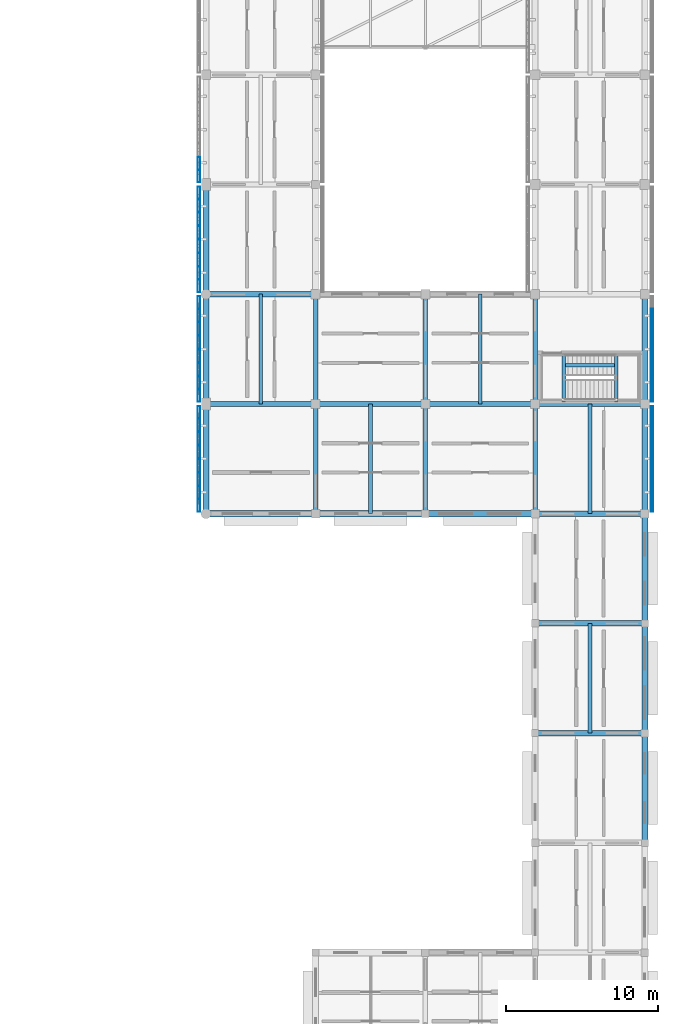
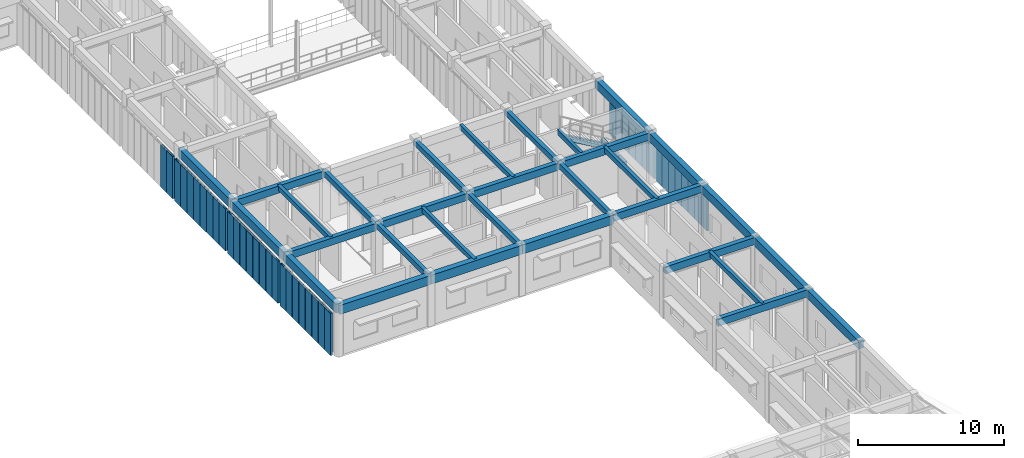
# One storey, part 64 of 171: 41 members, 33 beams, 6 elements without a shape of their own.
"""IFC4 building model written with IfcOpenShell, lengths in metres."""

import ifcopenshell
import ifcopenshell.guid

model = None  # the IFC model being written
_history = None  # IfcOwnerHistory: only IFC2X3 demands one
_inside = {}  # id of a spatial element -> (the spatial element, [elements in it])
_under = {}  # id of a project, library or spatial element -> (it, [spatial elements below it])
_declared = {}  # id of a project -> (the project, [libraries it declares])
_typed = {}  # id of a type object -> (the type object, [elements of that type])
_made_of = {}  # id of a material, layer set ... -> (it, [elements and type objects made of it])


def new_model(schema):
    """Start an empty IFC model of exactly this schema.

    Asked for "IFC4X3", IfcOpenShell would pick the latest addendum, in which some entities
    have other attributes; the version numbers below select the first issue.
    IFC2X3 requires an IfcOwnerHistory on every rooted entity: one is made here for all.
    """
    global model, _history
    if schema == "IFC4X3":
        model = ifcopenshell.file(schema_version=(4, 3, 0, 0))
    else:
        model = ifcopenshell.file(schema=schema)
    _inside.clear()
    _under.clear()
    _declared.clear()
    _typed.clear()
    _made_of.clear()
    _history = None
    if model.schema == "IFC2X3":
        org = make("IfcOrganization", Name="unknown")
        user = make(
            "IfcPersonAndOrganization",
            ThePerson=make("IfcPerson", FamilyName="unknown"),
            TheOrganization=org,
        )
        app = make(
            "IfcApplication",
            ApplicationDeveloper=org,
            Version="unknown",
            ApplicationFullName="unknown",
            ApplicationIdentifier="unknown",
        )
        _history = make(
            "IfcOwnerHistory",
            OwningUser=user,
            OwningApplication=app,
            ChangeAction="ADDED",
            CreationDate=0,
        )
    return model


def make(cls, **values):
    """One entity of the class cls with the attributes given. An attribute that is None is left unset."""
    return model.create_entity(
        cls, **{name: value for name, value in values.items() if value is not None}
    )


def rooted(cls, **values):
    """An entity with a GlobalId (a new one), such as an element, a storey or a relation."""
    return make(cls, GlobalId=ifcopenshell.guid.new(), OwnerHistory=_history, **values)


def si_unit(unit_type, name, prefix=None):
    """IfcSIUnit, for example si_unit("LENGTHUNIT", "METRE", prefix="MILLI")."""
    return make("IfcSIUnit", UnitType=unit_type, Prefix=prefix, Name=name)


def assignment(units):
    """IfcUnitAssignment: the units of a project."""
    return None if units is None else make("IfcUnitAssignment", Units=units)


def point(xyz):
    """IfcCartesianPoint."""
    return None if xyz is None else make("IfcCartesianPoint", Coordinates=xyz)


def direction(xyz):
    """IfcDirection."""
    return None if xyz is None else make("IfcDirection", DirectionRatios=xyz)


def frame(location, z_axis=None, x_axis=None):
    """IfcAxis2Placement3D, a coordinate frame: its origin and axes. An axis left out is left unset."""
    return make(
        "IfcAxis2Placement3D",
        Location=point(location),
        Axis=direction(z_axis),
        RefDirection=direction(x_axis),
    )


def frame_2d(location, x_axis=None):
    """IfcAxis2Placement2D, a coordinate frame in the plane: its origin and x axis."""
    return make(
        "IfcAxis2Placement2D", Location=point(location), RefDirection=direction(x_axis)
    )


def origin():
    """The frame at (0, 0, 0) with its axes left unset."""
    return frame((0.0, 0.0, 0.0))


def origin_2d():
    """The frame at (0, 0) in the plane with its x axis left unset."""
    return frame_2d((0.0, 0.0))


def place(relative_to, where):
    """IfcLocalPlacement: puts the frame where relative to a parent placement (None: the world)."""
    return make(
        "IfcLocalPlacement", PlacementRelTo=relative_to, RelativePlacement=where
    )


def context(
    kind, dimensions, precision=None, world=None, true_north=None, identifier=None
):
    """IfcGeometricRepresentationContext, for example the 3D "Model" context."""
    return make(
        "IfcGeometricRepresentationContext",
        ContextIdentifier=identifier,
        ContextType=kind,
        CoordinateSpaceDimension=dimensions,
        Precision=precision,
        WorldCoordinateSystem=world,
        TrueNorth=true_north,
    )


def subcontext(parent, identifier, kind, view, scale=None):
    """IfcGeometricRepresentationSubContext, for example "Body" below "Model"."""
    return make(
        "IfcGeometricRepresentationSubContext",
        ContextIdentifier=identifier,
        ContextType=kind,
        ParentContext=parent,
        TargetScale=scale,
        TargetView=view,
    )


def project(units=None, contexts=None):
    """IfcProject with its units and contexts."""
    return rooted(
        "IfcProject",
        Name="project",
        RepresentationContexts=contexts,
        UnitsInContext=assignment(units),
    )


def spatial(cls, under=None, at=None, **own):
    """A site, building, storey or space (cls), placed at a placement, below another one or the project."""
    s = rooted(cls, ObjectPlacement=at, **own)
    if under is not None:
        _under.setdefault(under.id(), (under, []))[1].append(s)
    return s


def profile(cls, at=None, kind="AREA", **sizes):
    """A parametric profile (cls). Its sizes go by their IFC names, for example OverallWidth=200.0."""
    return make(cls, ProfileType=kind, Position=at, **sizes)


def rectangle(**sizes):
    """IfcRectangleProfileDef."""
    return profile("IfcRectangleProfileDef", **sizes)


def hollow_rectangle(**sizes):
    """IfcRectangleHollowProfileDef."""
    return profile("IfcRectangleHollowProfileDef", **sizes)


def extrude(swept, where, along, depth):
    """IfcExtrudedAreaSolid: the profile swept, set in the frame where, extruded along a direction by depth."""
    return make(
        "IfcExtrudedAreaSolid",
        SweptArea=swept,
        Position=where,
        ExtrudedDirection=direction(along),
        Depth=depth,
    )


def shape(context_of_items, identifier, shape_type, items):
    """IfcShapeRepresentation: the items that make up one representation, for example the "Body"."""
    return make(
        "IfcShapeRepresentation",
        ContextOfItems=context_of_items,
        RepresentationIdentifier=identifier,
        RepresentationType=shape_type,
        Items=items,
    )


def material(Name=None, Category=None):
    """IfcMaterial."""
    return make("IfcMaterial", Name=Name, Category=Category)


def material_profile(
    of_material, cross_section, Name=None, Category=None, Priority=None
):
    """IfcMaterialProfile: a cross section and its material."""
    return make(
        "IfcMaterialProfile",
        Name=Name,
        Material=of_material,
        Profile=cross_section,
        Priority=Priority,
        Category=Category,
    )


def profile_set(profiles, Name=None, composite=None):
    """IfcMaterialProfileSet."""
    return make(
        "IfcMaterialProfileSet",
        Name=Name,
        MaterialProfiles=profiles,
        CompositeProfile=composite,
    )


def made_of(thing, what):
    """Note that an element or type object is made of a material, layer set ...; save() writes the relation."""
    if what is not None:
        _made_of.setdefault(what.id(), (what, []))[1].append(thing)
    return thing


def type_object(cls, material=None, **own):
    """A type object (cls), such as IfcWallType, which elements share."""
    return made_of(rooted(cls, **own), material)


def element(
    cls,
    number,
    at=None,
    inside=None,
    cuts=None,
    type_object=None,
    material=None,
    context=None,
    identifier="Body",
    shape_type=None,
    held_by="IfcProductDefinitionShape",
    body=None,
    shapes=None,
    **own,
):
    """One element of the class cls, such as IfcWall. Its Tag is "e" and its number.

    at: its placement. inside: the storey or other place that contains it. cuts: it is an
    opening in that element (IfcRelVoidsElement). A single representation is given by context,
    identifier, shape_type and body (its items); several are given by shapes. held_by: the class
    of the entity that holds the representations. save() writes the other relations.
    """
    e = rooted(cls, Tag="e%d" % number, ObjectPlacement=at, **own)
    if body is not None:
        shapes = [shape(context, identifier, shape_type, body)]
    if shapes is not None:
        e.Representation = make(held_by, Representations=shapes)
    if inside is not None:
        _inside.setdefault(inside.id(), (inside, []))[1].append(e)
    if cuts is not None:
        rooted(
            "IfcRelVoidsElement", RelatingBuildingElement=cuts, RelatedOpeningElement=e
        )
    if type_object is not None:
        _typed.setdefault(type_object.id(), (type_object, []))[1].append(e)
    return made_of(e, material)


def aggregate(whole, parts):
    """IfcRelAggregates: a whole, such as a stair, and the parts it consists of."""
    return rooted("IfcRelAggregates", RelatingObject=whole, RelatedObjects=parts)


def save(model, path):
    """Write the relations noted so far, then the file.

    IfcRelAggregates (storeys below a building ...), IfcRelContainedInSpatialStructure (elements
    in a storey), IfcRelDefinesByType, IfcRelAssociatesMaterial and IfcRelDeclares: one each for
    every whole, place, type object, material and project.
    """
    for whole, parts in _under.values():
        aggregate(whole, parts)
    for where, things in _inside.values():
        rooted(
            "IfcRelContainedInSpatialStructure",
            RelatedElements=things,
            RelatingStructure=where,
        )
    for kind, things in _typed.values():
        rooted("IfcRelDefinesByType", RelatedObjects=things, RelatingType=kind)
    for what, things in _made_of.values():
        rooted("IfcRelAssociatesMaterial", RelatedObjects=things, RelatingMaterial=what)
    for by, libraries in _declared.values():
        rooted("IfcRelDeclares", RelatingContext=by, RelatedDefinitions=libraries)
    model.write(path)


model = new_model("IFC4")

# Units and contexts
model_context = context("Model", 3, precision=1e-05, world=origin(), true_north=direction((0.0, 1.0)))
body_context = subcontext(model_context, "Body", "Model", "MODEL_VIEW")
ifc_project = project(units=[si_unit("LENGTHUNIT", "METRE"), si_unit("AREAUNIT", "SQUARE_METRE"), si_unit("VOLUMEUNIT", "CUBIC_METRE"), si_unit("PLANEANGLEUNIT", "RADIAN"), si_unit("MASSUNIT", "GRAM", prefix="KILO")], contexts=[model_context])

# Site, building, storey
site_placement = place(None, origin())
site = spatial("IfcSite", under=ifc_project, at=site_placement, CompositionType="ELEMENT")
building_placement = place(site_placement, origin())
building = spatial("IfcBuilding", under=site, at=building_placement, Name="Aldebral Square Health Centre", CompositionType="ELEMENT")
storey_placement = place(building_placement, frame((0.0, 0.0, 4.5)))
storey = spatial("IfcBuildingStorey", under=building, at=storey_placement, Name="L01", CompositionType="ELEMENT", Elevation=4.5)

# Beams
ifc_material_1 = material(Name="Concrete C40/50", Category="concrete")
ifc_material_profile_1 = material_profile(ifc_material_1, rectangle(XDim=0.35009765625, YDim=0.60009765625, at=origin_2d()), Name="RC 350x600")
ifc_profile_set_1 = profile_set([ifc_material_profile_1], Name="Concrete C40/50")
beam_type_1 = type_object("IfcBeamType", Name="BM-B2", PredefinedType="BEAM", material=ifc_profile_set_1)
for number, where, z_axis, x_axis, name in (
    (1, (136.800048828125, 57.60009765625, 3.919921875), (1.0, 0.0, 0.0), (0.0, 1.0, 0.0), "L01 X-beam 20-21/G9"),
    (2, (136.800048828125, 64.800048828125, 3.919921875), (1.0, 0.0, 0.0), (0.0, 1.0, 0.0), "L01 X-beam 20-21/G10"),
    (3, (144.0, 57.60009765625, 3.919921875), (1.0, 0.0, 0.0), (0.0, 1.0, 0.0), "L01 X-beam 21-22/G9"),
    (4, (151.199951171875, 57.60009765625, 3.919921875), (1.0, 0.0, 0.0), (0.0, 1.0, 0.0), "L01 X-beam 22-23/G9"),
):
    element("IfcBeam", number, at=place(storey_placement, frame(where, z_axis=z_axis, x_axis=x_axis)), inside=storey, type_object=beam_type_1, Name=name, PredefinedType="BEAM", context=body_context, shape_type="SweptSolid", body=[
        extrude(rectangle(XDim=0.35009765625, YDim=0.60009765625, at=origin_2d()), origin(), (0.0, 0.0, 1.0), 7.199951171875),
    ])
for number, where, z_axis, x_axis, name in (
    (5, (158.39990234375, 36.0, 3.919921875), (1.0, 0.0, 0.0), (0.0, 1.0, 0.0), "L01 X-beam 23-24/G6"),
    (6, (158.39990234375, 43.199951171875, 3.919921875), (1.0, 0.0, 0.0), (0.0, 1.0, 0.0), "L01 X-beam 23-24/G7"),
    (7, (158.39990234375, 50.39990234375, 3.919921875), (1.0, 0.0, 0.0), (0.0, 1.0, 0.0), "L01 X-beam 23-24/G8"),
    (8, (158.39990234375, 57.60009765625, 3.919921875), (1.0, 0.0, 0.0), (0.0, 1.0, 0.0), "L01 X-beam 23-24/G9"),
):
    element("IfcBeam", number, at=place(storey_placement, frame(where, z_axis=z_axis, x_axis=x_axis)), inside=storey, type_object=beam_type_1, Name=name, PredefinedType="BEAM", context=body_context, shape_type="SweptSolid", body=[
        extrude(rectangle(XDim=0.35009765625, YDim=0.60009765625, at=origin_2d()), origin(), (0.0, 0.0, 1.0), 7.2001953125),
    ])
ifc_material_profile_2 = material_profile(ifc_material_1, rectangle(XDim=0.300048828125, YDim=0.449951171875, at=origin_2d()), Name="RC 300x450")
ifc_profile_set_2 = profile_set([ifc_material_profile_2], Name="Concrete C40/50")
beam_type_2 = type_object("IfcBeamType", Name="BM-B5", PredefinedType="BEAM", material=ifc_profile_set_2)
beam_1_placement = place(storey_placement, frame((144.0, 50.39990234375, 3.9951171875), z_axis=(0.0, 1.0, 0.0), x_axis=(-1.0, 0.0, 0.0)))
element("IfcBeam", 9, at=beam_1_placement, inside=storey, type_object=beam_type_2, Name="L01 Y-beam G21/8-9", PredefinedType="BEAM", context=body_context, shape_type="SweptSolid", body=[
    extrude(rectangle(XDim=0.300048828125, YDim=0.449951171875, at=origin_2d()), origin(), (0.0, 0.0, 1.0), 7.2001953125),
])
beam_2_placement = place(storey_placement, frame((144.0, 57.60009765625, 3.9951171875), z_axis=(0.0, 1.0, 0.0), x_axis=(-1.0, 0.0, 0.0)))
element("IfcBeam", 10, at=beam_2_placement, inside=storey, type_object=beam_type_2, Name="L01 Y-beam G21/9-10", PredefinedType="BEAM", context=body_context, shape_type="SweptSolid", body=[
    extrude(rectangle(XDim=0.300048828125, YDim=0.449951171875, at=origin_2d()), origin(), (0.0, 0.0, 1.0), 7.199951171875),
])
beam_3_placement = place(storey_placement, frame((151.199951171875, 50.39990234375, 3.9951171875), z_axis=(0.0, 1.0, 0.0), x_axis=(-1.0, 0.0, 0.0)))
element("IfcBeam", 11, at=beam_3_placement, inside=storey, type_object=beam_type_2, Name="L01 Y-beam G22/8-9", PredefinedType="BEAM", context=body_context, shape_type="SweptSolid", body=[
    extrude(rectangle(XDim=0.300048828125, YDim=0.449951171875, at=origin_2d()), origin(), (0.0, 0.0, 1.0), 7.2001953125),
])
beam_4_placement = place(storey_placement, frame((151.199951171875, 57.60009765625, 3.9951171875), z_axis=(0.0, 1.0, 0.0), x_axis=(-1.0, 0.0, 0.0)))
element("IfcBeam", 12, at=beam_4_placement, inside=storey, type_object=beam_type_2, Name="L01 Y-beam G22/9-10", PredefinedType="BEAM", context=body_context, shape_type="SweptSolid", body=[
    extrude(rectangle(XDim=0.300048828125, YDim=0.449951171875, at=origin_2d()), origin(), (0.0, 0.0, 1.0), 7.199951171875),
])
beam_5_placement = place(storey_placement, frame((158.39990234375, 50.39990234375, 3.9951171875), z_axis=(0.0, 1.0, 0.0), x_axis=(-1.0, 0.0, 0.0)))
element("IfcBeam", 13, at=beam_5_placement, inside=storey, type_object=beam_type_2, Name="L01 Y-beam G23/8-9", PredefinedType="BEAM", context=body_context, shape_type="SweptSolid", body=[
    extrude(rectangle(XDim=0.300048828125, YDim=0.449951171875, at=origin_2d()), origin(), (0.0, 0.0, 1.0), 7.2001953125),
])
beam_6_placement = place(storey_placement, frame((158.39990234375, 57.60009765625, 3.9951171875), z_axis=(0.0, 1.0, 0.0), x_axis=(-1.0, 0.0, 0.0)))
element("IfcBeam", 14, at=beam_6_placement, inside=storey, type_object=beam_type_2, Name="L01 Y-beam G23/9-10", PredefinedType="BEAM", context=body_context, shape_type="SweptSolid", body=[
    extrude(rectangle(XDim=0.300048828125, YDim=0.449951171875, at=origin_2d()), origin(), (0.0, 0.0, 1.0), 7.199951171875),
])
ifc_material_profile_3 = material_profile(ifc_material_1, rectangle(XDim=0.25, YDim=0.39990234375, at=origin_2d()), Name="RC 250x400")
ifc_profile_set_3 = profile_set([ifc_material_profile_3], Name="Concrete C40/50")
beam_type_3 = type_object("IfcBeamType", Name="BM-B6", PredefinedType="JOIST", material=ifc_profile_set_3)
beam_7_placement = place(storey_placement, frame((140.39990234375, 57.60009765625, 4.02001953125), z_axis=(0.0, 1.0, 0.0), x_axis=(-1.0, 0.0, 0.0)))
element("IfcBeam", 15, at=beam_7_placement, inside=storey, type_object=beam_type_3, Name="L01 secondary rib 20.9", PredefinedType="JOIST", context=body_context, shape_type="SweptSolid", body=[
    extrude(rectangle(XDim=0.25, YDim=0.39990234375, at=origin_2d()), origin(), (0.0, 0.0, 1.0), 7.199951171875),
])
beam_8_placement = place(storey_placement, frame((147.60009765625, 50.39990234375, 4.02001953125), z_axis=(0.0, 1.0, 0.0), x_axis=(-1.0, 0.0, 0.0)))
element("IfcBeam", 16, at=beam_8_placement, inside=storey, type_object=beam_type_3, Name="L01 secondary rib 21.8", PredefinedType="JOIST", context=body_context, shape_type="SweptSolid", body=[
    extrude(rectangle(XDim=0.25, YDim=0.39990234375, at=origin_2d()), origin(), (0.0, 0.0, 1.0), 7.2001953125),
])
for number, where, z_axis, x_axis, name in (
    (17, (154.800048828125, 57.60009765625, 4.02001953125), (0.0, 1.0, 0.0), (-1.0, 0.0, 0.0), "L01 secondary rib 22.9"),
    (18, (162.0, 36.0, 4.02001953125), (0.0, 1.0, 0.0), (-1.0, 0.0, 0.0), "L01 secondary rib 23.6"),
):
    element("IfcBeam", number, at=place(storey_placement, frame(where, z_axis=z_axis, x_axis=x_axis)), inside=storey, type_object=beam_type_3, Name=name, PredefinedType="JOIST", context=body_context, shape_type="SweptSolid", body=[
        extrude(rectangle(XDim=0.25, YDim=0.39990234375, at=origin_2d()), origin(), (0.0, 0.0, 1.0), 7.199951171875),
    ])
beam_9_placement = place(storey_placement, frame((162.0, 50.39990234375, 4.02001953125), z_axis=(0.0, 1.0, 0.0), x_axis=(-1.0, 0.0, 0.0)))
element("IfcBeam", 19, at=beam_9_placement, inside=storey, type_object=beam_type_3, Name="L01 secondary rib 23.8", PredefinedType="JOIST", context=body_context, shape_type="SweptSolid", body=[
    extrude(rectangle(XDim=0.25, YDim=0.39990234375, at=origin_2d()), origin(), (0.0, 0.0, 1.0), 7.2001953125),
])
for number, where, z_axis, x_axis, name in (
    (20, (163.719970703125, 57.72998046875, 2.050048828125), (0.0, 1.0, 0.0), (-1.0, 0.0, 0.0), "L01 WS-S9 half-landing beam"),
    (21, (160.280029296875, 57.72998046875, 4.02001953125), (0.0, 1.0, 0.0), (-1.0, 0.0, 0.0), "L01 WS-S9 upper landing beam"),
):
    element("IfcBeam", number, at=place(storey_placement, frame(where, z_axis=z_axis, x_axis=x_axis)), inside=storey, type_object=beam_type_3, Name=name, PredefinedType="JOIST", context=body_context, shape_type="SweptSolid", body=[
        extrude(rectangle(XDim=0.25, YDim=0.39990234375, at=origin_2d()), origin(), (0.0, 0.0, 1.0), 3.219970703125),
    ])
beam_10_placement = place(storey_placement, frame((163.719970703125, 60.139892578125, 2.050048828125), z_axis=(-0.867776584178, 0.0, 0.496954525034), x_axis=(0.0, -1.0, 0.0)))
element("IfcBeam", 22, at=beam_10_placement, inside=storey, type_object=beam_type_3, Name="L01 WS-S9 flight stringer beam", PredefinedType="JOIST", context=body_context, shape_type="SweptSolid", body=[
    extrude(rectangle(XDim=0.25, YDim=0.39990234375, at=origin_2d()), origin(), (0.0, 0.0, 1.0), 3.964111328125),
])
ifc_material_profile_4 = material_profile(ifc_material_1, rectangle(XDim=0.449951171875, YDim=0.75, at=origin_2d()), Name="RC 450x750")
ifc_profile_set_4 = profile_set([ifc_material_profile_4], Name="Concrete C40/50")
beam_type_4 = type_object("IfcBeamType", Name="BM-G2", PredefinedType="T_BEAM", material=ifc_profile_set_4)
for number, where, z_axis, x_axis, name in (
    (23, (136.800048828125, 50.39990234375, 3.844970703125), (1.0, 0.0, 0.0), (0.0, 1.0, 0.0), "L01 X-beam 20-21/G8"),
    (24, (144.0, 50.39990234375, 3.844970703125), (1.0, 0.0, 0.0), (0.0, 1.0, 0.0), "L01 X-beam 21-22/G8"),
    (25, (151.199951171875, 50.39990234375, 3.844970703125), (1.0, 0.0, 0.0), (0.0, 1.0, 0.0), "L01 X-beam 22-23/G8"),
):
    element("IfcBeam", number, at=place(storey_placement, frame(where, z_axis=z_axis, x_axis=x_axis)), inside=storey, type_object=beam_type_4, Name=name, PredefinedType="T_BEAM", context=body_context, shape_type="SweptSolid", body=[
        extrude(rectangle(XDim=0.449951171875, YDim=0.75, at=origin_2d()), origin(), (0.0, 0.0, 1.0), 7.199951171875),
    ])
ifc_material_profile_5 = material_profile(ifc_material_1, rectangle(XDim=0.39990234375, YDim=0.699951171875, at=origin_2d()), Name="RC 400x700")
ifc_profile_set_5 = profile_set([ifc_material_profile_5], Name="Concrete C40/50")
beam_type_5 = type_object("IfcBeamType", Name="BM-G3", PredefinedType="T_BEAM", material=ifc_profile_set_5)
beam_11_placement = place(storey_placement, frame((136.800048828125, 50.39990234375, 3.8701171875), z_axis=(0.0, 1.0, 0.0), x_axis=(-1.0, 0.0, 0.0)))
element("IfcBeam", 26, at=beam_11_placement, inside=storey, type_object=beam_type_5, Name="L01 Y-beam G20/8-9", PredefinedType="T_BEAM", context=body_context, shape_type="SweptSolid", body=[
    extrude(rectangle(XDim=0.39990234375, YDim=0.699951171875, at=origin_2d()), origin(), (0.0, 0.0, 1.0), 7.2001953125),
])
for number, where, z_axis, x_axis, name in (
    (27, (136.800048828125, 57.60009765625, 3.8701171875), (0.0, 1.0, 0.0), (-1.0, 0.0, 0.0), "L01 Y-beam G20/9-10"),
    (28, (136.800048828125, 64.800048828125, 3.8701171875), (0.0, 1.0, 0.0), (-1.0, 0.0, 0.0), "L01 Y-beam G20/10-11"),
    (29, (165.60009765625, 28.800048828125, 3.8701171875), (0.0, 1.0, 0.0), (-1.0, 0.0, 0.0), "L01 Y-beam G24/5-6"),
    (30, (165.60009765625, 36.0, 3.8701171875), (0.0, 1.0, 0.0), (-1.0, 0.0, 0.0), "L01 Y-beam G24/6-7"),
    (31, (165.60009765625, 43.199951171875, 3.8701171875), (0.0, 1.0, 0.0), (-1.0, 0.0, 0.0), "L01 Y-beam G24/7-8"),
):
    element("IfcBeam", number, at=place(storey_placement, frame(where, z_axis=z_axis, x_axis=x_axis)), inside=storey, type_object=beam_type_5, Name=name, PredefinedType="T_BEAM", context=body_context, shape_type="SweptSolid", body=[
        extrude(rectangle(XDim=0.39990234375, YDim=0.699951171875, at=origin_2d()), origin(), (0.0, 0.0, 1.0), 7.199951171875),
    ])
beam_12_placement = place(storey_placement, frame((165.60009765625, 50.39990234375, 3.8701171875), z_axis=(0.0, 1.0, 0.0), x_axis=(-1.0, 0.0, 0.0)))
element("IfcBeam", 32, at=beam_12_placement, inside=storey, type_object=beam_type_5, Name="L01 Y-beam G24/8-9", PredefinedType="T_BEAM", context=body_context, shape_type="SweptSolid", body=[
    extrude(rectangle(XDim=0.39990234375, YDim=0.699951171875, at=origin_2d()), origin(), (0.0, 0.0, 1.0), 7.2001953125),
])
beam_13_placement = place(storey_placement, frame((165.60009765625, 57.60009765625, 3.8701171875), z_axis=(0.0, 1.0, 0.0), x_axis=(-1.0, 0.0, 0.0)))
element("IfcBeam", 33, at=beam_13_placement, inside=storey, type_object=beam_type_5, Name="L01 Y-beam G24/9-10", PredefinedType="T_BEAM", context=body_context, shape_type="SweptSolid", body=[
    extrude(rectangle(XDim=0.39990234375, YDim=0.699951171875, at=origin_2d()), origin(), (0.0, 0.0, 1.0), 7.199951171875),
])

# Curtain wall, members
ifc_material_2 = material(Name="Aluminium and low-E solar glass", Category="aluminium")
curtain_wall_type = type_object("IfcCurtainWallType", Name="CW-FIN-SYS", PredefinedType="USERDEFINED", material=ifc_material_2)
curtain_wall_1_placement = place(storey_placement, origin())
curtain_wall_1 = element("IfcCurtainWall", 34, at=curtain_wall_1_placement, inside=storey, type_object=curtain_wall_type, Name="L01 V5 finned curtain wall L01-V5-19-07-W", ObjectType="SOLAR_CURTAIN_WALL", PredefinedType="USERDEFINED")
ifc_material_3 = material(Name="Sienna-terracotta clad aluminium fin", Category="masonry")
ifc_material_profile_6 = material_profile(ifc_material_3, hollow_rectangle(XDim=0.159912109375, YDim=0.85009765625, WallThickness=0.006103515625, at=origin_2d()), Name="FIN 160x850x6")
ifc_profile_set_6 = profile_set([ifc_material_profile_6], Name="Sienna-terracotta clad aluminium fin")
member_type = type_object("IfcMemberType", Name="CWM-FIN", PredefinedType="MULLION", material=ifc_profile_set_6)
member_1_placement = place(storey_placement, frame((136.340087890625, 57.0400390625, 0.0), z_axis=(0.0, 0.0, 1.0), x_axis=(1.0, 0.0, 0.0)))
member_1 = element("IfcMember", 35, at=member_1_placement, type_object=member_type, Name="CW1 mullion 1", PredefinedType="MULLION", context=body_context, shape_type="SweptSolid", body=[
    extrude(hollow_rectangle(XDim=0.159912109375, YDim=0.85009765625, WallThickness=0.006103515625, at=origin_2d()), origin(), (0.0, 0.0, 1.0), 3.52001953125),
])
member_2_placement = place(storey_placement, frame((136.340087890625, 56.228515625, 0.0), z_axis=(0.0, 0.0, 1.0), x_axis=(1.0, 0.0, 0.0)))
member_2 = element("IfcMember", 36, at=member_2_placement, type_object=member_type, Name="CW1 mullion 2", PredefinedType="MULLION", context=body_context, shape_type="SweptSolid", body=[
    extrude(hollow_rectangle(XDim=0.159912109375, YDim=0.85009765625, WallThickness=0.006103515625, at=origin_2d()), origin(), (0.0, 0.0, 1.0), 3.52001953125),
])
member_3_placement = place(storey_placement, frame((136.340087890625, 55.337158203125, 0.0), z_axis=(0.0, 0.0, 1.0), x_axis=(1.0, 0.0, 0.0)))
member_3 = element("IfcMember", 37, at=member_3_placement, type_object=member_type, Name="CW1 mullion 3", PredefinedType="MULLION", context=body_context, shape_type="SweptSolid", body=[
    extrude(hollow_rectangle(XDim=0.159912109375, YDim=0.85009765625, WallThickness=0.006103515625, at=origin_2d()), origin(), (0.0, 0.0, 1.0), 3.52001953125),
])
member_4_placement = place(storey_placement, frame((136.340087890625, 54.44580078125, 0.0), z_axis=(0.0, 0.0, 1.0), x_axis=(1.0, 0.0, 0.0)))
member_4 = element("IfcMember", 38, at=member_4_placement, type_object=member_type, Name="CW1 mullion 4", PredefinedType="MULLION", context=body_context, shape_type="SweptSolid", body=[
    extrude(hollow_rectangle(XDim=0.159912109375, YDim=0.85009765625, WallThickness=0.006103515625, at=origin_2d()), origin(), (0.0, 0.0, 1.0), 3.52001953125),
])
member_5_placement = place(storey_placement, frame((136.340087890625, 53.55419921875, 0.0), z_axis=(0.0, 0.0, 1.0), x_axis=(1.0, 0.0, 0.0)))
member_5 = element("IfcMember", 39, at=member_5_placement, type_object=member_type, Name="CW1 mullion 5", PredefinedType="MULLION", context=body_context, shape_type="SweptSolid", body=[
    extrude(hollow_rectangle(XDim=0.159912109375, YDim=0.85009765625, WallThickness=0.006103515625, at=origin_2d()), origin(), (0.0, 0.0, 1.0), 3.52001953125),
])
member_6_placement = place(storey_placement, frame((136.340087890625, 52.662841796875, 0.0), z_axis=(0.0, 0.0, 1.0), x_axis=(1.0, 0.0, 0.0)))
member_6 = element("IfcMember", 40, at=member_6_placement, type_object=member_type, Name="CW1 mullion 6", PredefinedType="MULLION", context=body_context, shape_type="SweptSolid", body=[
    extrude(hollow_rectangle(XDim=0.159912109375, YDim=0.85009765625, WallThickness=0.006103515625, at=origin_2d()), origin(), (0.0, 0.0, 1.0), 3.52001953125),
])
member_7_placement = place(storey_placement, frame((136.340087890625, 51.771484375, 0.0), z_axis=(0.0, 0.0, 1.0), x_axis=(1.0, 0.0, 0.0)))
member_7 = element("IfcMember", 41, at=member_7_placement, type_object=member_type, Name="CW1 mullion 7", PredefinedType="MULLION", context=body_context, shape_type="SweptSolid", body=[
    extrude(hollow_rectangle(XDim=0.159912109375, YDim=0.85009765625, WallThickness=0.006103515625, at=origin_2d()), origin(), (0.0, 0.0, 1.0), 3.52001953125),
])
member_8_placement = place(storey_placement, frame((136.340087890625, 50.9599609375, 0.0), z_axis=(0.0, 0.0, 1.0), x_axis=(1.0, 0.0, 0.0)))
member_8 = element("IfcMember", 42, at=member_8_placement, type_object=member_type, Name="CW1 mullion 8", PredefinedType="MULLION", context=body_context, shape_type="SweptSolid", body=[
    extrude(hollow_rectangle(XDim=0.159912109375, YDim=0.85009765625, WallThickness=0.006103515625, at=origin_2d()), origin(), (0.0, 0.0, 1.0), 3.52001953125),
])
aggregate(curtain_wall_1, [member_1, member_2, member_3, member_4, member_5, member_6, member_7, member_8])

curtain_wall_2_placement = place(storey_placement, origin())
curtain_wall_2 = element("IfcCurtainWall", 43, at=curtain_wall_2_placement, inside=storey, type_object=curtain_wall_type, Name="L01 V5 finned curtain wall L01-V5-19-08-W", ObjectType="SOLAR_CURTAIN_WALL", PredefinedType="USERDEFINED")
member_9_placement = place(storey_placement, frame((136.340087890625, 64.239990234375, 0.0), z_axis=(0.0, 0.0, 1.0), x_axis=(1.0, 0.0, 0.0)))
member_9 = element("IfcMember", 44, at=member_9_placement, type_object=member_type, Name="CW1 mullion 1", PredefinedType="MULLION", context=body_context, shape_type="SweptSolid", body=[
    extrude(hollow_rectangle(XDim=0.159912109375, YDim=0.85009765625, WallThickness=0.006103515625, at=origin_2d()), origin(), (0.0, 0.0, 1.0), 3.52001953125),
])
member_10_placement = place(storey_placement, frame((136.340087890625, 63.428466796875, 0.0), z_axis=(0.0, 0.0, 1.0), x_axis=(1.0, 0.0, 0.0)))
member_10 = element("IfcMember", 45, at=member_10_placement, type_object=member_type, Name="CW1 mullion 2", PredefinedType="MULLION", context=body_context, shape_type="SweptSolid", body=[
    extrude(hollow_rectangle(XDim=0.159912109375, YDim=0.85009765625, WallThickness=0.006103515625, at=origin_2d()), origin(), (0.0, 0.0, 1.0), 3.52001953125),
])
member_11_placement = place(storey_placement, frame((136.340087890625, 62.537109375, 0.0), z_axis=(0.0, 0.0, 1.0), x_axis=(1.0, 0.0, 0.0)))
member_11 = element("IfcMember", 46, at=member_11_placement, type_object=member_type, Name="CW1 mullion 3", PredefinedType="MULLION", context=body_context, shape_type="SweptSolid", body=[
    extrude(hollow_rectangle(XDim=0.159912109375, YDim=0.85009765625, WallThickness=0.006103515625, at=origin_2d()), origin(), (0.0, 0.0, 1.0), 3.52001953125),
])
member_12_placement = place(storey_placement, frame((136.340087890625, 61.645751953125, 0.0), z_axis=(0.0, 0.0, 1.0), x_axis=(1.0, 0.0, 0.0)))
member_12 = element("IfcMember", 47, at=member_12_placement, type_object=member_type, Name="CW1 mullion 4", PredefinedType="MULLION", context=body_context, shape_type="SweptSolid", body=[
    extrude(hollow_rectangle(XDim=0.159912109375, YDim=0.85009765625, WallThickness=0.006103515625, at=origin_2d()), origin(), (0.0, 0.0, 1.0), 3.52001953125),
])
member_13_placement = place(storey_placement, frame((136.340087890625, 60.75439453125, 0.0), z_axis=(0.0, 0.0, 1.0), x_axis=(1.0, 0.0, 0.0)))
member_13 = element("IfcMember", 48, at=member_13_placement, type_object=member_type, Name="CW1 mullion 5", PredefinedType="MULLION", context=body_context, shape_type="SweptSolid", body=[
    extrude(hollow_rectangle(XDim=0.159912109375, YDim=0.85009765625, WallThickness=0.006103515625, at=origin_2d()), origin(), (0.0, 0.0, 1.0), 3.52001953125),
])
member_14_placement = place(storey_placement, frame((136.340087890625, 59.86279296875, 0.0), z_axis=(0.0, 0.0, 1.0), x_axis=(1.0, 0.0, 0.0)))
member_14 = element("IfcMember", 49, at=member_14_placement, type_object=member_type, Name="CW1 mullion 6", PredefinedType="MULLION", context=body_context, shape_type="SweptSolid", body=[
    extrude(hollow_rectangle(XDim=0.159912109375, YDim=0.85009765625, WallThickness=0.006103515625, at=origin_2d()), origin(), (0.0, 0.0, 1.0), 3.52001953125),
])
member_15_placement = place(storey_placement, frame((136.340087890625, 58.971435546875, 0.0), z_axis=(0.0, 0.0, 1.0), x_axis=(1.0, 0.0, 0.0)))
member_15 = element("IfcMember", 50, at=member_15_placement, type_object=member_type, Name="CW1 mullion 7", PredefinedType="MULLION", context=body_context, shape_type="SweptSolid", body=[
    extrude(hollow_rectangle(XDim=0.159912109375, YDim=0.85009765625, WallThickness=0.006103515625, at=origin_2d()), origin(), (0.0, 0.0, 1.0), 3.52001953125),
])
member_16_placement = place(storey_placement, frame((136.340087890625, 58.159912109375, 0.0), z_axis=(0.0, 0.0, 1.0), x_axis=(1.0, 0.0, 0.0)))
member_16 = element("IfcMember", 51, at=member_16_placement, type_object=member_type, Name="CW1 mullion 8", PredefinedType="MULLION", context=body_context, shape_type="SweptSolid", body=[
    extrude(hollow_rectangle(XDim=0.159912109375, YDim=0.85009765625, WallThickness=0.006103515625, at=origin_2d()), origin(), (0.0, 0.0, 1.0), 3.52001953125),
])
aggregate(curtain_wall_2, [member_9, member_10, member_11, member_12, member_13, member_14, member_15, member_16])

curtain_wall_3_placement = place(storey_placement, origin())
curtain_wall_3 = element("IfcCurtainWall", 52, at=curtain_wall_3_placement, inside=storey, type_object=curtain_wall_type, Name="L01 V5 finned curtain wall L01-V5-19-09-W", ObjectType="SOLAR_CURTAIN_WALL", PredefinedType="USERDEFINED")
member_17_placement = place(storey_placement, frame((136.340087890625, 71.43994140625, 0.0), z_axis=(0.0, 0.0, 1.0), x_axis=(1.0, 0.0, 0.0)))
member_17 = element("IfcMember", 53, at=member_17_placement, type_object=member_type, Name="CW1 mullion 1", PredefinedType="MULLION", context=body_context, shape_type="SweptSolid", body=[
    extrude(hollow_rectangle(XDim=0.159912109375, YDim=0.85009765625, WallThickness=0.006103515625, at=origin_2d()), origin(), (0.0, 0.0, 1.0), 3.52001953125),
])
member_18_placement = place(storey_placement, frame((136.340087890625, 70.628662109375, 0.0), z_axis=(0.0, 0.0, 1.0), x_axis=(1.0, 0.0, 0.0)))
member_18 = element("IfcMember", 54, at=member_18_placement, type_object=member_type, Name="CW1 mullion 2", PredefinedType="MULLION", context=body_context, shape_type="SweptSolid", body=[
    extrude(hollow_rectangle(XDim=0.159912109375, YDim=0.85009765625, WallThickness=0.006103515625, at=origin_2d()), origin(), (0.0, 0.0, 1.0), 3.52001953125),
])
member_19_placement = place(storey_placement, frame((136.340087890625, 69.737060546875, 0.0), z_axis=(0.0, 0.0, 1.0), x_axis=(1.0, 0.0, 0.0)))
member_19 = element("IfcMember", 55, at=member_19_placement, type_object=member_type, Name="CW1 mullion 3", PredefinedType="MULLION", context=body_context, shape_type="SweptSolid", body=[
    extrude(hollow_rectangle(XDim=0.159912109375, YDim=0.85009765625, WallThickness=0.006103515625, at=origin_2d()), origin(), (0.0, 0.0, 1.0), 3.52001953125),
])
member_20_placement = place(storey_placement, frame((136.340087890625, 68.845703125, 0.0), z_axis=(0.0, 0.0, 1.0), x_axis=(1.0, 0.0, 0.0)))
member_20 = element("IfcMember", 56, at=member_20_placement, type_object=member_type, Name="CW1 mullion 4", PredefinedType="MULLION", context=body_context, shape_type="SweptSolid", body=[
    extrude(hollow_rectangle(XDim=0.159912109375, YDim=0.85009765625, WallThickness=0.006103515625, at=origin_2d()), origin(), (0.0, 0.0, 1.0), 3.52001953125),
])
member_21_placement = place(storey_placement, frame((136.340087890625, 67.954345703125, 0.0), z_axis=(0.0, 0.0, 1.0), x_axis=(1.0, 0.0, 0.0)))
member_21 = element("IfcMember", 57, at=member_21_placement, type_object=member_type, Name="CW1 mullion 5", PredefinedType="MULLION", context=body_context, shape_type="SweptSolid", body=[
    extrude(hollow_rectangle(XDim=0.159912109375, YDim=0.85009765625, WallThickness=0.006103515625, at=origin_2d()), origin(), (0.0, 0.0, 1.0), 3.52001953125),
])
member_22_placement = place(storey_placement, frame((136.340087890625, 67.062744140625, 0.0), z_axis=(0.0, 0.0, 1.0), x_axis=(1.0, 0.0, 0.0)))
member_22 = element("IfcMember", 58, at=member_22_placement, type_object=member_type, Name="CW1 mullion 6", PredefinedType="MULLION", context=body_context, shape_type="SweptSolid", body=[
    extrude(hollow_rectangle(XDim=0.159912109375, YDim=0.85009765625, WallThickness=0.006103515625, at=origin_2d()), origin(), (0.0, 0.0, 1.0), 3.52001953125),
])
member_23_placement = place(storey_placement, frame((136.340087890625, 66.17138671875, 0.0), z_axis=(0.0, 0.0, 1.0), x_axis=(1.0, 0.0, 0.0)))
member_23 = element("IfcMember", 59, at=member_23_placement, type_object=member_type, Name="CW1 mullion 7", PredefinedType="MULLION", context=body_context, shape_type="SweptSolid", body=[
    extrude(hollow_rectangle(XDim=0.159912109375, YDim=0.85009765625, WallThickness=0.006103515625, at=origin_2d()), origin(), (0.0, 0.0, 1.0), 3.52001953125),
])
member_24_placement = place(storey_placement, frame((136.340087890625, 65.360107421875, 0.0), z_axis=(0.0, 0.0, 1.0), x_axis=(1.0, 0.0, 0.0)))
member_24 = element("IfcMember", 60, at=member_24_placement, type_object=member_type, Name="CW1 mullion 8", PredefinedType="MULLION", context=body_context, shape_type="SweptSolid", body=[
    extrude(hollow_rectangle(XDim=0.159912109375, YDim=0.85009765625, WallThickness=0.006103515625, at=origin_2d()), origin(), (0.0, 0.0, 1.0), 3.52001953125),
])
aggregate(curtain_wall_3, [member_17, member_18, member_19, member_20, member_21, member_22, member_23, member_24])

curtain_wall_4_placement = place(storey_placement, origin())
curtain_wall_4 = element("IfcCurtainWall", 61, at=curtain_wall_4_placement, inside=storey, type_object=curtain_wall_type, Name="L01 V5 finned curtain wall L01-V5-19-10-W", ObjectType="SOLAR_CURTAIN_WALL", PredefinedType="USERDEFINED")
member_25_placement = place(storey_placement, frame((136.340087890625, 73.371337890625, 0.0), z_axis=(0.0, 0.0, 1.0), x_axis=(1.0, 0.0, 0.0)))
member_25 = element("IfcMember", 62, at=member_25_placement, type_object=member_type, Name="CW1 mullion 7", PredefinedType="MULLION", context=body_context, shape_type="SweptSolid", body=[
    extrude(hollow_rectangle(XDim=0.159912109375, YDim=0.85009765625, WallThickness=0.006103515625, at=origin_2d()), origin(), (0.0, 0.0, 1.0), 3.52001953125),
])
member_26_placement = place(storey_placement, frame((136.340087890625, 72.56005859375, 0.0), z_axis=(0.0, 0.0, 1.0), x_axis=(1.0, 0.0, 0.0)))
member_26 = element("IfcMember", 63, at=member_26_placement, type_object=member_type, Name="CW1 mullion 8", PredefinedType="MULLION", context=body_context, shape_type="SweptSolid", body=[
    extrude(hollow_rectangle(XDim=0.159912109375, YDim=0.85009765625, WallThickness=0.006103515625, at=origin_2d()), origin(), (0.0, 0.0, 1.0), 3.52001953125),
])
aggregate(curtain_wall_4, [member_25, member_26])

curtain_wall_5_placement = place(storey_placement, origin())
curtain_wall_5 = element("IfcCurtainWall", 64, at=curtain_wall_5_placement, inside=storey, type_object=curtain_wall_type, Name="L01 V5 finned curtain wall L01-V5-22-07-E", ObjectType="SOLAR_CURTAIN_WALL", PredefinedType="USERDEFINED")
member_27_placement = place(storey_placement, frame((166.06005859375, 50.9599609375, 0.0), z_axis=(0.0, 0.0, 1.0), x_axis=(-1.0, 0.0, 0.0)))
member_27 = element("IfcMember", 65, at=member_27_placement, type_object=member_type, Name="CW1 mullion 1", PredefinedType="MULLION", context=body_context, shape_type="SweptSolid", body=[
    extrude(hollow_rectangle(XDim=0.159912109375, YDim=0.85009765625, WallThickness=0.006103515625, at=origin_2d()), origin(), (0.0, 0.0, 1.0), 3.52001953125),
])
member_28_placement = place(storey_placement, frame((166.06005859375, 51.771484375, 0.0), z_axis=(0.0, 0.0, 1.0), x_axis=(-1.0, 0.0, 0.0)))
member_28 = element("IfcMember", 66, at=member_28_placement, type_object=member_type, Name="CW1 mullion 2", PredefinedType="MULLION", context=body_context, shape_type="SweptSolid", body=[
    extrude(hollow_rectangle(XDim=0.159912109375, YDim=0.85009765625, WallThickness=0.006103515625, at=origin_2d()), origin(), (0.0, 0.0, 1.0), 3.52001953125),
])
member_29_placement = place(storey_placement, frame((166.06005859375, 52.662841796875, 0.0), z_axis=(0.0, 0.0, 1.0), x_axis=(-1.0, 0.0, 0.0)))
member_29 = element("IfcMember", 67, at=member_29_placement, type_object=member_type, Name="CW1 mullion 3", PredefinedType="MULLION", context=body_context, shape_type="SweptSolid", body=[
    extrude(hollow_rectangle(XDim=0.159912109375, YDim=0.85009765625, WallThickness=0.006103515625, at=origin_2d()), origin(), (0.0, 0.0, 1.0), 3.52001953125),
])
member_30_placement = place(storey_placement, frame((166.06005859375, 53.55419921875, 0.0), z_axis=(0.0, 0.0, 1.0), x_axis=(-1.0, 0.0, 0.0)))
member_30 = element("IfcMember", 68, at=member_30_placement, type_object=member_type, Name="CW1 mullion 4", PredefinedType="MULLION", context=body_context, shape_type="SweptSolid", body=[
    extrude(hollow_rectangle(XDim=0.159912109375, YDim=0.85009765625, WallThickness=0.006103515625, at=origin_2d()), origin(), (0.0, 0.0, 1.0), 3.52001953125),
])
member_31_placement = place(storey_placement, frame((166.06005859375, 54.44580078125, 0.0), z_axis=(0.0, 0.0, 1.0), x_axis=(-1.0, 0.0, 0.0)))
member_31 = element("IfcMember", 69, at=member_31_placement, type_object=member_type, Name="CW1 mullion 5", PredefinedType="MULLION", context=body_context, shape_type="SweptSolid", body=[
    extrude(hollow_rectangle(XDim=0.159912109375, YDim=0.85009765625, WallThickness=0.006103515625, at=origin_2d()), origin(), (0.0, 0.0, 1.0), 3.52001953125),
])
member_32_placement = place(storey_placement, frame((166.06005859375, 55.337158203125, 0.0), z_axis=(0.0, 0.0, 1.0), x_axis=(-1.0, 0.0, 0.0)))
member_32 = element("IfcMember", 70, at=member_32_placement, type_object=member_type, Name="CW1 mullion 6", PredefinedType="MULLION", context=body_context, shape_type="SweptSolid", body=[
    extrude(hollow_rectangle(XDim=0.159912109375, YDim=0.85009765625, WallThickness=0.006103515625, at=origin_2d()), origin(), (0.0, 0.0, 1.0), 3.52001953125),
])
member_33_placement = place(storey_placement, frame((166.06005859375, 56.228515625, 0.0), z_axis=(0.0, 0.0, 1.0), x_axis=(-1.0, 0.0, 0.0)))
member_33 = element("IfcMember", 71, at=member_33_placement, type_object=member_type, Name="CW1 mullion 7", PredefinedType="MULLION", context=body_context, shape_type="SweptSolid", body=[
    extrude(hollow_rectangle(XDim=0.159912109375, YDim=0.85009765625, WallThickness=0.006103515625, at=origin_2d()), origin(), (0.0, 0.0, 1.0), 3.52001953125),
])
member_34_placement = place(storey_placement, frame((166.06005859375, 57.0400390625, 0.0), z_axis=(0.0, 0.0, 1.0), x_axis=(-1.0, 0.0, 0.0)))
member_34 = element("IfcMember", 72, at=member_34_placement, type_object=member_type, Name="CW1 mullion 8", PredefinedType="MULLION", context=body_context, shape_type="SweptSolid", body=[
    extrude(hollow_rectangle(XDim=0.159912109375, YDim=0.85009765625, WallThickness=0.006103515625, at=origin_2d()), origin(), (0.0, 0.0, 1.0), 3.52001953125),
])
aggregate(curtain_wall_5, [member_27, member_28, member_29, member_30, member_31, member_32, member_33, member_34])

curtain_wall_6_placement = place(storey_placement, origin())
curtain_wall_6 = element("IfcCurtainWall", 73, at=curtain_wall_6_placement, inside=storey, type_object=curtain_wall_type, Name="L01 V5 finned curtain wall L01-V5-22-08-E", ObjectType="SOLAR_CURTAIN_WALL", PredefinedType="USERDEFINED")
member_35_placement = place(storey_placement, frame((166.06005859375, 58.159912109375, 0.0), z_axis=(0.0, 0.0, 1.0), x_axis=(-1.0, 0.0, 0.0)))
member_35 = element("IfcMember", 74, at=member_35_placement, type_object=member_type, Name="CW1 mullion 1", PredefinedType="MULLION", context=body_context, shape_type="SweptSolid", body=[
    extrude(hollow_rectangle(XDim=0.159912109375, YDim=0.85009765625, WallThickness=0.006103515625, at=origin_2d()), origin(), (0.0, 0.0, 1.0), 3.52001953125),
])
member_36_placement = place(storey_placement, frame((166.06005859375, 58.971435546875, 0.0), z_axis=(0.0, 0.0, 1.0), x_axis=(-1.0, 0.0, 0.0)))
member_36 = element("IfcMember", 75, at=member_36_placement, type_object=member_type, Name="CW1 mullion 2", PredefinedType="MULLION", context=body_context, shape_type="SweptSolid", body=[
    extrude(hollow_rectangle(XDim=0.159912109375, YDim=0.85009765625, WallThickness=0.006103515625, at=origin_2d()), origin(), (0.0, 0.0, 1.0), 3.52001953125),
])
member_37_placement = place(storey_placement, frame((166.06005859375, 59.86279296875, 0.0), z_axis=(0.0, 0.0, 1.0), x_axis=(-1.0, 0.0, 0.0)))
member_37 = element("IfcMember", 76, at=member_37_placement, type_object=member_type, Name="CW1 mullion 3", PredefinedType="MULLION", context=body_context, shape_type="SweptSolid", body=[
    extrude(hollow_rectangle(XDim=0.159912109375, YDim=0.85009765625, WallThickness=0.006103515625, at=origin_2d()), origin(), (0.0, 0.0, 1.0), 3.52001953125),
])
member_38_placement = place(storey_placement, frame((166.06005859375, 60.75439453125, 0.0), z_axis=(0.0, 0.0, 1.0), x_axis=(-1.0, 0.0, 0.0)))
member_38 = element("IfcMember", 77, at=member_38_placement, type_object=member_type, Name="CW1 mullion 4", PredefinedType="MULLION", context=body_context, shape_type="SweptSolid", body=[
    extrude(hollow_rectangle(XDim=0.159912109375, YDim=0.85009765625, WallThickness=0.006103515625, at=origin_2d()), origin(), (0.0, 0.0, 1.0), 3.52001953125),
])
member_39_placement = place(storey_placement, frame((166.06005859375, 61.645751953125, 0.0), z_axis=(0.0, 0.0, 1.0), x_axis=(-1.0, 0.0, 0.0)))
member_39 = element("IfcMember", 78, at=member_39_placement, type_object=member_type, Name="CW1 mullion 5", PredefinedType="MULLION", context=body_context, shape_type="SweptSolid", body=[
    extrude(hollow_rectangle(XDim=0.159912109375, YDim=0.85009765625, WallThickness=0.006103515625, at=origin_2d()), origin(), (0.0, 0.0, 1.0), 3.52001953125),
])
member_40_placement = place(storey_placement, frame((166.06005859375, 62.537109375, 0.0), z_axis=(0.0, 0.0, 1.0), x_axis=(-1.0, 0.0, 0.0)))
member_40 = element("IfcMember", 79, at=member_40_placement, type_object=member_type, Name="CW1 mullion 6", PredefinedType="MULLION", context=body_context, shape_type="SweptSolid", body=[
    extrude(hollow_rectangle(XDim=0.159912109375, YDim=0.85009765625, WallThickness=0.006103515625, at=origin_2d()), origin(), (0.0, 0.0, 1.0), 3.52001953125),
])
member_41_placement = place(storey_placement, frame((166.06005859375, 63.428466796875, 0.0), z_axis=(0.0, 0.0, 1.0), x_axis=(-1.0, 0.0, 0.0)))
member_41 = element("IfcMember", 80, at=member_41_placement, type_object=member_type, Name="CW1 mullion 7", PredefinedType="MULLION", context=body_context, shape_type="SweptSolid", body=[
    extrude(hollow_rectangle(XDim=0.159912109375, YDim=0.85009765625, WallThickness=0.006103515625, at=origin_2d()), origin(), (0.0, 0.0, 1.0), 3.52001953125),
])
aggregate(curtain_wall_6, [member_35, member_36, member_37, member_38, member_39, member_40, member_41])

save(model, "model.ifc")
